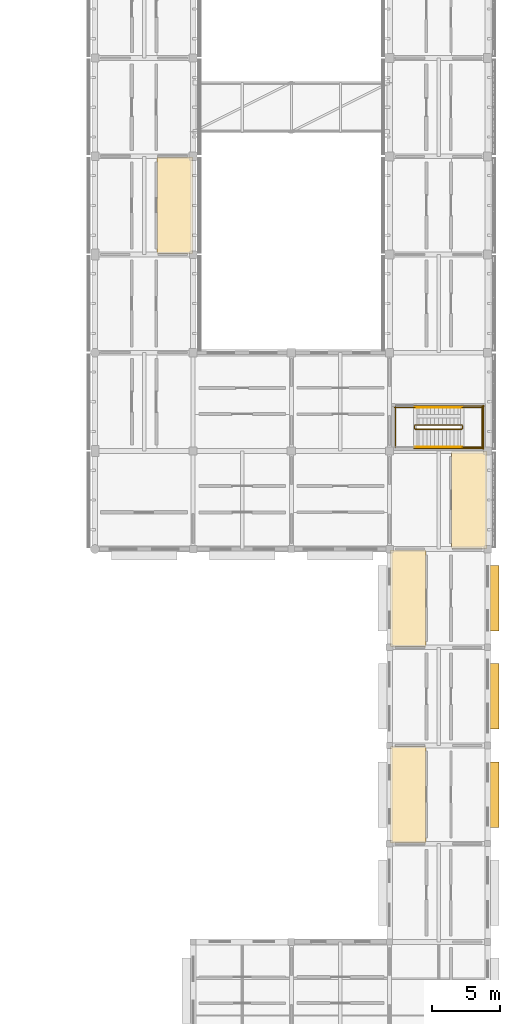
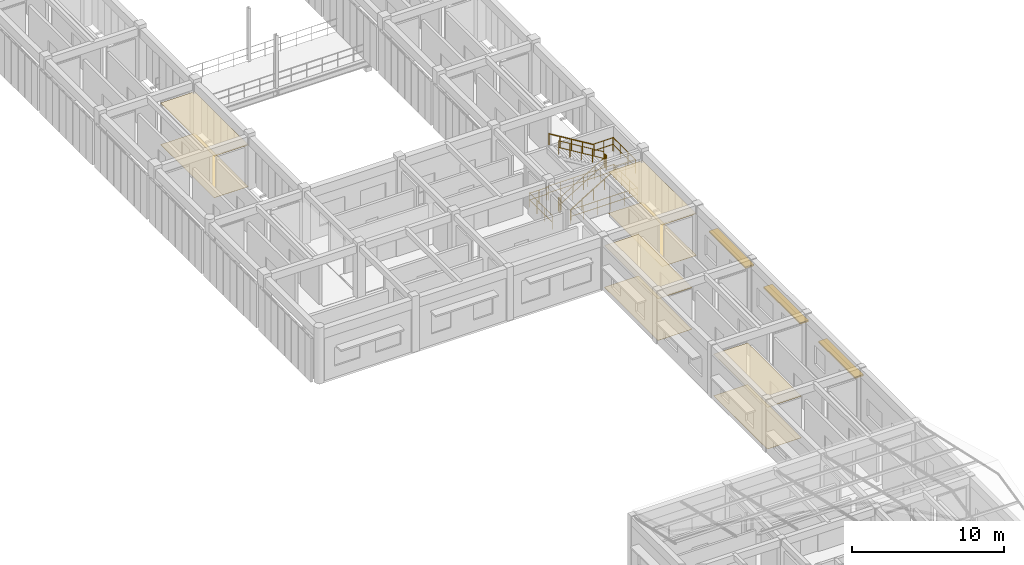
# One storey, part 169 of 171: 14 railings, 8 coverings, 3 shading devices.
"""IFC4 building model written with IfcOpenShell, lengths in metres."""

from ifc_helpers import new_model, si_unit, direction, frame, origin, origin_2d, place, context, subcontext, project, spatial, polyline, rectangle, circle, outline, extrude, material, layer, layer_set, type_object, element, save


model = new_model("IFC4")

# Units and contexts
model_context = context("Model", 3, precision=1e-05, world=origin(), true_north=direction((0.0, 1.0)))
body_context = subcontext(model_context, "Body", "Model", "MODEL_VIEW")
ifc_project = project(units=[si_unit("LENGTHUNIT", "METRE"), si_unit("AREAUNIT", "SQUARE_METRE"), si_unit("VOLUMEUNIT", "CUBIC_METRE"), si_unit("PLANEANGLEUNIT", "RADIAN"), si_unit("MASSUNIT", "GRAM", prefix="KILO")], contexts=[model_context])

# Site, building, storey
site_placement = place(None, origin())
site = spatial("IfcSite", under=ifc_project, at=site_placement, CompositionType="ELEMENT")
building_placement = place(site_placement, origin())
building = spatial("IfcBuilding", under=site, at=building_placement, Name="Aldebral Square Health Centre", CompositionType="ELEMENT")
storey_placement = place(building_placement, frame((0.0, 0.0, 4.5)))
storey = spatial("IfcBuildingStorey", under=building, at=storey_placement, Name="L01", CompositionType="ELEMENT", Elevation=4.5)

# Coverings
ifc_material_1 = material(Name="Hygienic acoustic mineral ceiling tile")
ifc_layer_1 = layer(ifc_material_1, 0.02001953125, Name="Hygienic acoustic mineral ceiling tile")
ifc_layer_set_1 = layer_set([ifc_layer_1], Name="Hygienic acoustic mineral ceiling tile")
covering_type_1 = type_object("IfcCoveringType", Name="COV-CLG-AC", PredefinedType="CEILING", material=ifc_layer_set_1)
covering_1_placement = place(storey_placement, frame((0.0, 0.0, 3.340087890625)))
element("IfcCovering", 1, at=covering_1_placement, inside=storey, type_object=covering_type_1, Name="L01 Occupational Therapy Workshop 23.5W acoustic ceiling", PredefinedType="CEILING", context=body_context, shape_type="SweptSolid", body=[
    extrude(outline(polyline([(158.4599609375, 28.860107421875), (161.06005859375, 28.860107421875), (161.06005859375, 35.93994140625), (158.4599609375, 35.93994140625), (158.4599609375, 28.860107421875)])), origin(), (0.0, 0.0, 1.0), 0.02001953125),
])
covering_2_placement = place(storey_placement, frame((0.0, 0.0, 3.340087890625)))
element("IfcCovering", 2, at=covering_2_placement, inside=storey, type_object=covering_type_1, Name="L01 Occupational Therapy Workshop 23.7W acoustic ceiling", PredefinedType="CEILING", context=body_context, shape_type="SweptSolid", body=[
    extrude(outline(polyline([(158.4599609375, 43.260009765625), (161.06005859375, 43.260009765625), (161.06005859375, 50.340087890625), (158.4599609375, 50.340087890625), (158.4599609375, 43.260009765625)])), origin(), (0.0, 0.0, 1.0), 0.02001953125),
])
covering_3_placement = place(storey_placement, frame((0.0, 0.0, 3.340087890625)))
element("IfcCovering", 3, at=covering_3_placement, inside=storey, type_object=covering_type_1, Name="L01 Patient Toilet 20.11E acoustic ceiling", PredefinedType="CEILING", context=body_context, shape_type="SweptSolid", body=[
    extrude(outline(polyline([(141.340087890625, 72.06005859375), (143.93994140625, 72.06005859375), (143.93994140625, 79.139892578125), (141.340087890625, 79.139892578125), (141.340087890625, 72.06005859375)])), origin(), (0.0, 0.0, 1.0), 0.02001953125),
])
covering_4_placement = place(storey_placement, frame((0.0, 0.0, 3.340087890625)))
element("IfcCovering", 4, at=covering_4_placement, inside=storey, type_object=covering_type_1, Name="L01 Audiology Testing Booth 23.8E acoustic ceiling", PredefinedType="CEILING", context=body_context, shape_type="SweptSolid", body=[
    extrude(outline(polyline([(162.93994140625, 50.4599609375), (165.5400390625, 50.4599609375), (165.5400390625, 57.5400390625), (162.93994140625, 57.5400390625), (162.93994140625, 50.4599609375)])), origin(), (0.0, 0.0, 1.0), 0.02001953125),
])
ifc_material_2 = material(Name="Antimicrobial clinical vinyl flooring")
ifc_layer_2 = layer(ifc_material_2, 0.014892578125, Name="Antimicrobial clinical vinyl flooring")
ifc_layer_set_2 = layer_set([ifc_layer_2], Name="Antimicrobial clinical vinyl flooring")
covering_type_2 = type_object("IfcCoveringType", Name="COV-FLR-VN", PredefinedType="FLOORING", material=ifc_layer_set_2)
covering_5_placement = place(storey_placement, origin())
element("IfcCovering", 5, at=covering_5_placement, inside=storey, type_object=covering_type_2, Name="L01 Occupational Therapy Workshop 23.5W clinical flooring", PredefinedType="FLOORING", context=body_context, shape_type="SweptSolid", body=[
    extrude(outline(polyline([(158.4599609375, 28.860107421875), (161.06005859375, 28.860107421875), (161.06005859375, 35.93994140625), (158.4599609375, 35.93994140625), (158.4599609375, 28.860107421875)])), origin(), (0.0, 0.0, 1.0), 0.014892578125),
])
covering_6_placement = place(storey_placement, origin())
element("IfcCovering", 6, at=covering_6_placement, inside=storey, type_object=covering_type_2, Name="L01 Occupational Therapy Workshop 23.7W clinical flooring", PredefinedType="FLOORING", context=body_context, shape_type="SweptSolid", body=[
    extrude(outline(polyline([(158.4599609375, 43.260009765625), (161.06005859375, 43.260009765625), (161.06005859375, 50.340087890625), (158.4599609375, 50.340087890625), (158.4599609375, 43.260009765625)])), origin(), (0.0, 0.0, 1.0), 0.014892578125),
])
covering_7_placement = place(storey_placement, origin())
element("IfcCovering", 7, at=covering_7_placement, inside=storey, type_object=covering_type_2, Name="L01 Patient Toilet 20.11E clinical flooring", PredefinedType="FLOORING", context=body_context, shape_type="SweptSolid", body=[
    extrude(outline(polyline([(141.340087890625, 72.06005859375), (143.93994140625, 72.06005859375), (143.93994140625, 79.139892578125), (141.340087890625, 79.139892578125), (141.340087890625, 72.06005859375)])), origin(), (0.0, 0.0, 1.0), 0.014892578125),
])
covering_8_placement = place(storey_placement, origin())
element("IfcCovering", 8, at=covering_8_placement, inside=storey, type_object=covering_type_2, Name="L01 Audiology Testing Booth 23.8E clinical flooring", PredefinedType="FLOORING", context=body_context, shape_type="SweptSolid", body=[
    extrude(outline(polyline([(162.93994140625, 50.4599609375), (165.5400390625, 50.4599609375), (165.5400390625, 57.5400390625), (162.93994140625, 57.5400390625), (162.93994140625, 50.4599609375)])), origin(), (0.0, 0.0, 1.0), 0.014892578125),
])

# Railings
ifc_material_3 = material(Name="Painted steel S355JR stair guard", Category="steel")
railing_type_1 = type_object("IfcRailingType", Name="RL-ST-GRD", PredefinedType="GUARDRAIL", material=ifc_material_3)
railing_1_placement = place(storey_placement, frame((160.280029296875, 59.18994140625, 0.173095703125)))
element("IfcRailing", 9, at=railing_1_placement, inside=storey, type_object=railing_type_1, Name="L01 ST-09 stair guard 1", PredefinedType="GUARDRAIL", context=body_context, shape_type="SweptSolid", body=[
    extrude(circle(Radius=0.02392578125, at=origin_2d()), frame((0.0, 0.0, 1.09619140625), z_axis=(0.854729506542, 0.0, 0.519073665916), x_axis=(0.0, 1.0, 0.0)), (0.0, 0.0, 1.0), 4.001220703125),
    extrude(circle(Radius=0.02392578125, at=origin_2d()), frame((0.0, 0.0, 0.56005859375), z_axis=(0.854729506542, 0.0, 0.519073665916), x_axis=(0.0, 1.0, 0.0)), (0.0, 0.0, 1.0), 4.001220703125),
    extrude(circle(Radius=0.02099609375, at=origin_2d()), origin(), (0.0, 0.0, 1.0), 1.072021484375),
    extrude(circle(Radius=0.02099609375, at=origin_2d()), frame((0.85498046875, 0.0, 0.519287109375)), (0.0, 0.0, 1.0), 1.072021484375),
    extrude(circle(Radius=0.02099609375, at=origin_2d()), frame((1.7099609375, 0.0, 1.03857421875)), (0.0, 0.0, 1.0), 1.072021484375),
    extrude(circle(Radius=0.02099609375, at=origin_2d()), frame((2.56494140625, 0.0, 1.5576171875)), (0.0, 0.0, 1.0), 1.072021484375),
    extrude(circle(Radius=0.02099609375, at=origin_2d()), frame((3.419921875, 0.0, 2.076904296875)), (0.0, 0.0, 1.0), 1.072021484375),
])
railing_2_placement = place(storey_placement, frame((163.75, 59.239990234375, 2.25)))
element("IfcRailing", 10, at=railing_2_placement, inside=storey, type_object=railing_type_1, Name="L01 ST-09 stair guard 2", PredefinedType="GUARDRAIL", context=body_context, shape_type="SweptSolid", body=[
    extrude(circle(Radius=0.02392578125, at=origin_2d()), frame((0.0, 0.0, 1.09619140625), z_axis=(0.0, 1.0, 0.0), x_axis=(-1.0, 0.0, 0.0)), (0.0, 0.0, 1.0), 0.199951171875),
    extrude(circle(Radius=0.02392578125, at=origin_2d()), frame((0.0, 0.0, 0.56005859375), z_axis=(0.0, 1.0, 0.0), x_axis=(-1.0, 0.0, 0.0)), (0.0, 0.0, 1.0), 0.199951171875),
    extrude(circle(Radius=0.02099609375, at=origin_2d()), origin(), (0.0, 0.0, 1.0), 1.072021484375),
    extrude(circle(Radius=0.02099609375, at=origin_2d()), frame((0.0, 0.199951171875, 0.0)), (0.0, 0.0, 1.0), 1.072021484375),
])
for number, where, name in (
    (11, (163.699951171875, 57.889892578125, 2.25), "L01 ST-09 stair guard 3"),
    (12, (163.699951171875, 60.7900390625, 2.25), "L01 ST-09 stair guard 4"),
):
    element("IfcRailing", number, at=place(storey_placement, frame(where)), inside=storey, type_object=railing_type_1, Name=name, PredefinedType="GUARDRAIL", context=body_context, shape_type="SweptSolid", body=[
        extrude(circle(Radius=0.02392578125, at=origin_2d()), frame((0.0, 0.0, 1.09619140625), z_axis=(1.0, 0.0, 0.0), x_axis=(0.0, 1.0, 0.0)), (0.0, 0.0, 1.0), 1.52001953125),
        extrude(circle(Radius=0.02392578125, at=origin_2d()), frame((0.0, 0.0, 0.56005859375), z_axis=(1.0, 0.0, 0.0), x_axis=(0.0, 1.0, 0.0)), (0.0, 0.0, 1.0), 1.52001953125),
        extrude(circle(Radius=0.02099609375, at=origin_2d()), origin(), (0.0, 0.0, 1.0), 1.072021484375),
        extrude(circle(Radius=0.02099609375, at=origin_2d()), frame((0.760009765625, 0.0, 0.0)), (0.0, 0.0, 1.0), 1.072021484375),
        extrude(circle(Radius=0.02099609375, at=origin_2d()), frame((1.52001953125, 0.0, 0.0)), (0.0, 0.0, 1.0), 1.072021484375),
    ])
railing_3_placement = place(storey_placement, frame((165.169921875, 57.840087890625, 2.25)))
element("IfcRailing", 13, at=railing_3_placement, inside=storey, type_object=railing_type_1, Name="L01 ST-09 stair guard 5", PredefinedType="GUARDRAIL", context=body_context, shape_type="SweptSolid", body=[
    extrude(circle(Radius=0.02392578125, at=origin_2d()), frame((0.0, 0.0, 1.09619140625), z_axis=(0.0, 1.0, 0.0), x_axis=(-1.0, 0.0, 0.0)), (0.0, 0.0, 1.0), 3.0),
    extrude(circle(Radius=0.02392578125, at=origin_2d()), frame((0.0, 0.0, 0.56005859375), z_axis=(0.0, 1.0, 0.0), x_axis=(-1.0, 0.0, 0.0)), (0.0, 0.0, 1.0), 3.0),
    extrude(circle(Radius=0.02099609375, at=origin_2d()), origin(), (0.0, 0.0, 1.0), 1.072021484375),
    extrude(circle(Radius=0.02099609375, at=origin_2d()), frame((0.0, 1.0, 0.0)), (0.0, 0.0, 1.0), 1.072021484375),
    extrude(circle(Radius=0.02099609375, at=origin_2d()), frame((0.0, 2.0, 0.0)), (0.0, 0.0, 1.0), 1.072021484375),
    extrude(circle(Radius=0.02099609375, at=origin_2d()), frame((0.0, 3.0, 0.0)), (0.0, 0.0, 1.0), 1.072021484375),
])
railing_4_placement = place(storey_placement, frame((163.699951171875, 59.489990234375, 2.423095703125)))
element("IfcRailing", 14, at=railing_4_placement, inside=storey, type_object=railing_type_1, Name="L01 ST-09 stair guard 6", PredefinedType="GUARDRAIL", context=body_context, shape_type="SweptSolid", body=[
    extrude(circle(Radius=0.02392578125, at=origin_2d()), frame((0.0, 0.0, 1.09619140625), z_axis=(-0.854729506542, 0.0, 0.519073665916), x_axis=(0.0, -1.0, 0.0)), (0.0, 0.0, 1.0), 4.001220703125),
    extrude(circle(Radius=0.02392578125, at=origin_2d()), frame((0.0, 0.0, 0.56005859375), z_axis=(-0.854729506542, 0.0, 0.519073665916), x_axis=(0.0, -1.0, 0.0)), (0.0, 0.0, 1.0), 4.001220703125),
    extrude(circle(Radius=0.02099609375, at=origin_2d()), origin(), (0.0, 0.0, 1.0), 1.072021484375),
    extrude(circle(Radius=0.02099609375, at=origin_2d()), frame((-0.85498046875, 0.0, 0.519287109375)), (0.0, 0.0, 1.0), 1.072021484375),
    extrude(circle(Radius=0.02099609375, at=origin_2d()), frame((-1.7099609375, 0.0, 1.03857421875)), (0.0, 0.0, 1.0), 1.072021484375),
    extrude(circle(Radius=0.02099609375, at=origin_2d()), frame((-2.56494140625, 0.0, 1.5576171875)), (0.0, 0.0, 1.0), 1.072021484375),
    extrude(circle(Radius=0.02099609375, at=origin_2d()), frame((-3.419921875, 0.0, 2.076904296875)), (0.0, 0.0, 1.0), 1.072021484375),
])
railing_5_placement = place(storey_placement, frame((160.22998046875, 59.239990234375, 0.0)))
element("IfcRailing", 15, at=railing_5_placement, inside=storey, type_object=railing_type_1, Name="L01 ST-09 stair guard 7", PredefinedType="GUARDRAIL", context=body_context, shape_type="SweptSolid", body=[
    extrude(circle(Radius=0.02392578125, at=origin_2d()), frame((0.0, 0.0, 1.09619140625), z_axis=(0.0, 1.0, 0.0), x_axis=(-1.0, 0.0, 0.0)), (0.0, 0.0, 1.0), 0.199951171875),
    extrude(circle(Radius=0.02392578125, at=origin_2d()), frame((0.0, 0.0, 0.56005859375), z_axis=(0.0, 1.0, 0.0), x_axis=(-1.0, 0.0, 0.0)), (0.0, 0.0, 1.0), 0.199951171875),
    extrude(circle(Radius=0.02099609375, at=origin_2d()), origin(), (0.0, 0.0, 1.0), 1.072021484375),
    extrude(circle(Radius=0.02099609375, at=origin_2d()), frame((0.0, 0.199951171875, 0.0)), (0.0, 0.0, 1.0), 1.072021484375),
])
railing_6_placement = place(storey_placement, frame((158.780029296875, 60.7900390625, 0.0)))
element("IfcRailing", 16, at=railing_6_placement, inside=storey, type_object=railing_type_1, Name="L01 ST-09 stair guard 9", PredefinedType="GUARDRAIL", context=body_context, shape_type="SweptSolid", body=[
    extrude(circle(Radius=0.02392578125, at=origin_2d()), frame((0.0, 0.0, 1.09619140625), z_axis=(1.0, 0.0, 0.0), x_axis=(0.0, 1.0, 0.0)), (0.0, 0.0, 1.0), 1.5),
    extrude(circle(Radius=0.02392578125, at=origin_2d()), frame((0.0, 0.0, 0.56005859375), z_axis=(1.0, 0.0, 0.0), x_axis=(0.0, 1.0, 0.0)), (0.0, 0.0, 1.0), 1.5),
    extrude(circle(Radius=0.02099609375, at=origin_2d()), origin(), (0.0, 0.0, 1.0), 1.072021484375),
    extrude(circle(Radius=0.02099609375, at=origin_2d()), frame((0.75, 0.0, 0.0)), (0.0, 0.0, 1.0), 1.072021484375),
    extrude(circle(Radius=0.02099609375, at=origin_2d()), frame((1.5, 0.0, 0.0)), (0.0, 0.0, 1.0), 1.072021484375),
])
railing_7_placement = place(storey_placement, frame((158.830078125, 57.840087890625, 0.0)))
element("IfcRailing", 17, at=railing_7_placement, inside=storey, type_object=railing_type_1, Name="L01 ST-09 stair guard 10", PredefinedType="GUARDRAIL", context=body_context, shape_type="SweptSolid", body=[
    extrude(circle(Radius=0.02392578125, at=origin_2d()), frame((0.0, 0.0, 1.09619140625), z_axis=(0.0, 1.0, 0.0), x_axis=(-1.0, 0.0, 0.0)), (0.0, 0.0, 1.0), 3.0),
    extrude(circle(Radius=0.02392578125, at=origin_2d()), frame((0.0, 0.0, 0.56005859375), z_axis=(0.0, 1.0, 0.0), x_axis=(-1.0, 0.0, 0.0)), (0.0, 0.0, 1.0), 3.0),
    extrude(circle(Radius=0.02099609375, at=origin_2d()), origin(), (0.0, 0.0, 1.0), 1.072021484375),
    extrude(circle(Radius=0.02099609375, at=origin_2d()), frame((0.0, 1.0, 0.0)), (0.0, 0.0, 1.0), 1.072021484375),
    extrude(circle(Radius=0.02099609375, at=origin_2d()), frame((0.0, 2.0, 0.0)), (0.0, 0.0, 1.0), 1.072021484375),
    extrude(circle(Radius=0.02099609375, at=origin_2d()), frame((0.0, 3.0, 0.0)), (0.0, 0.0, 1.0), 1.072021484375),
])
for number, where, name in (
    (18, (160.179931640625, 57.7900390625, 0.0), "L01 ST-09 stair guard 11"),
    (19, (160.179931640625, 60.889892578125, 0.0), "L01 ST-09 stair guard 12"),
):
    element("IfcRailing", number, at=place(storey_placement, frame(where)), inside=storey, type_object=railing_type_1, Name=name, PredefinedType="GUARDRAIL", context=body_context, shape_type="SweptSolid", body=[
        extrude(circle(Radius=0.02392578125, at=origin_2d()), frame((0.0, 0.0, 1.09619140625), z_axis=(1.0, 0.0, 0.0), x_axis=(0.0, 1.0, 0.0)), (0.0, 0.0, 1.0), 5.14013671875),
        extrude(circle(Radius=0.02392578125, at=origin_2d()), frame((0.0, 0.0, 0.56005859375), z_axis=(1.0, 0.0, 0.0), x_axis=(0.0, 1.0, 0.0)), (0.0, 0.0, 1.0), 5.14013671875),
        extrude(circle(Radius=0.02099609375, at=origin_2d()), origin(), (0.0, 0.0, 1.0), 1.072021484375),
        extrude(circle(Radius=0.02099609375, at=origin_2d()), frame((1.028076171875, 0.0, 0.0)), (0.0, 0.0, 1.0), 1.072021484375),
        extrude(circle(Radius=0.02099609375, at=origin_2d()), frame((2.05615234375, 0.0, 0.0)), (0.0, 0.0, 1.0), 1.072021484375),
        extrude(circle(Radius=0.02099609375, at=origin_2d()), frame((3.083984375, 0.0, 0.0)), (0.0, 0.0, 1.0), 1.072021484375),
        extrude(circle(Radius=0.02099609375, at=origin_2d()), frame((4.112060546875, 0.0, 0.0)), (0.0, 0.0, 1.0), 1.072021484375),
        extrude(circle(Radius=0.02099609375, at=origin_2d()), frame((5.14013671875, 0.0, 0.0)), (0.0, 0.0, 1.0), 1.072021484375),
    ])
railing_8_placement = place(storey_placement, frame((165.27001953125, 57.739990234375, 0.0)))
element("IfcRailing", 20, at=railing_8_placement, inside=storey, type_object=railing_type_1, Name="L01 ST-09 stair guard 13", PredefinedType="GUARDRAIL", context=body_context, shape_type="SweptSolid", body=[
    extrude(circle(Radius=0.02392578125, at=origin_2d()), frame((0.0, 0.0, 1.09619140625), z_axis=(0.0, 1.0, 0.0), x_axis=(-1.0, 0.0, 0.0)), (0.0, 0.0, 1.0), 3.199951171875),
    extrude(circle(Radius=0.02392578125, at=origin_2d()), frame((0.0, 0.0, 0.56005859375), z_axis=(0.0, 1.0, 0.0), x_axis=(-1.0, 0.0, 0.0)), (0.0, 0.0, 1.0), 3.199951171875),
    extrude(circle(Radius=0.02099609375, at=origin_2d()), origin(), (0.0, 0.0, 1.0), 1.072021484375),
    extrude(circle(Radius=0.02099609375, at=origin_2d()), frame((0.0, 1.066650390625, 0.0)), (0.0, 0.0, 1.0), 1.072021484375),
    extrude(circle(Radius=0.02099609375, at=origin_2d()), frame((0.0, 2.13330078125, 0.0)), (0.0, 0.0, 1.0), 1.072021484375),
    extrude(circle(Radius=0.02099609375, at=origin_2d()), frame((0.0, 3.199951171875, 0.0)), (0.0, 0.0, 1.0), 1.072021484375),
])
ifc_material_4 = material(Name="Brushed stainless steel handrail", Category="steel")
railing_type_2 = type_object("IfcRailingType", Name="RL-ST-HND", PredefinedType="HANDRAIL", material=ifc_material_4)
railing_9_placement = place(storey_placement, frame((160.280029296875, 57.889892578125, 0.173095703125)))
element("IfcRailing", 21, at=railing_9_placement, inside=storey, type_object=railing_type_2, Name="L01 ST-09 stair handrail 1", PredefinedType="HANDRAIL", context=body_context, shape_type="SweptSolid", body=[
    extrude(circle(Radius=0.02392578125, at=origin_2d()), frame((0.0, 0.0, 0.8759765625), z_axis=(0.854729506542, 0.0, 0.519073665916), x_axis=(0.0, 1.0, 0.0)), (0.0, 0.0, 1.0), 4.001220703125),
    extrude(circle(Radius=0.02099609375, at=origin_2d()), origin(), (0.0, 0.0, 1.0), 0.851806640625),
    extrude(circle(Radius=0.02099609375, at=origin_2d()), frame((0.85498046875, 0.0, 0.519287109375)), (0.0, 0.0, 1.0), 0.851806640625),
    extrude(circle(Radius=0.02099609375, at=origin_2d()), frame((1.7099609375, 0.0, 1.03857421875)), (0.0, 0.0, 1.0), 0.851806640625),
    extrude(circle(Radius=0.02099609375, at=origin_2d()), frame((2.56494140625, 0.0, 1.5576171875)), (0.0, 0.0, 1.0), 0.851806640625),
    extrude(circle(Radius=0.02099609375, at=origin_2d()), frame((3.419921875, 0.0, 2.076904296875)), (0.0, 0.0, 1.0), 0.851806640625),
])
railing_10_placement = place(storey_placement, frame((163.699951171875, 60.7900390625, 2.423095703125)))
element("IfcRailing", 22, at=railing_10_placement, inside=storey, type_object=railing_type_2, Name="L01 ST-09 stair handrail 2", PredefinedType="HANDRAIL", context=body_context, shape_type="SweptSolid", body=[
    extrude(circle(Radius=0.02392578125, at=origin_2d()), frame((0.0, 0.0, 0.8759765625), z_axis=(-0.854729506542, 0.0, 0.519073665916), x_axis=(0.0, -1.0, 0.0)), (0.0, 0.0, 1.0), 4.001220703125),
    extrude(circle(Radius=0.02099609375, at=origin_2d()), origin(), (0.0, 0.0, 1.0), 0.851806640625),
    extrude(circle(Radius=0.02099609375, at=origin_2d()), frame((-0.85498046875, 0.0, 0.519287109375)), (0.0, 0.0, 1.0), 0.851806640625),
    extrude(circle(Radius=0.02099609375, at=origin_2d()), frame((-1.7099609375, 0.0, 1.03857421875)), (0.0, 0.0, 1.0), 0.851806640625),
    extrude(circle(Radius=0.02099609375, at=origin_2d()), frame((-2.56494140625, 0.0, 1.5576171875)), (0.0, 0.0, 1.0), 0.851806640625),
    extrude(circle(Radius=0.02099609375, at=origin_2d()), frame((-3.419921875, 0.0, 2.076904296875)), (0.0, 0.0, 1.0), 0.851806640625),
])

# Shading devices
ifc_material_5 = material(Name="Sienna-terracotta solar hood", Category="masonry")
shading_device_type = type_object("IfcShadingDeviceType", Name="SHD-LVR-1", PredefinedType="JALOUSIE", material=ifc_material_5)
for number, where, z_axis, x_axis, name in (
    (23, (166.10498046875, 32.39990234375, 2.419921875), (0.0, 0.0, 1.0), (0.0, 1.0, 0.0), "L01 solar hood L01-V3-22-04-E"),
    (24, (166.094970703125, 39.60009765625, 2.419921875), (0.0, 0.0, 1.0), (0.0, 1.0, 0.0), "L01 solar hood L01-V3-22-05-E"),
    (25, (166.10498046875, 46.800048828125, 2.5400390625), (0.0, 0.0, 1.0), (0.0, 1.0, 0.0), "L01 solar hood L01-V3-22-06-E"),
):
    element("IfcShadingDevice", number, at=place(storey_placement, frame(where, z_axis=z_axis, x_axis=x_axis)), inside=storey, type_object=shading_device_type, Name=name, PredefinedType="JALOUSIE", context=body_context, shape_type="SweptSolid", body=[
        extrude(rectangle(XDim=4.800048828125, YDim=0.64990234375, at=origin_2d()), origin(), (0.0, 0.0, 1.0), 0.1201171875),
    ])

save(model, "model.ifc")
